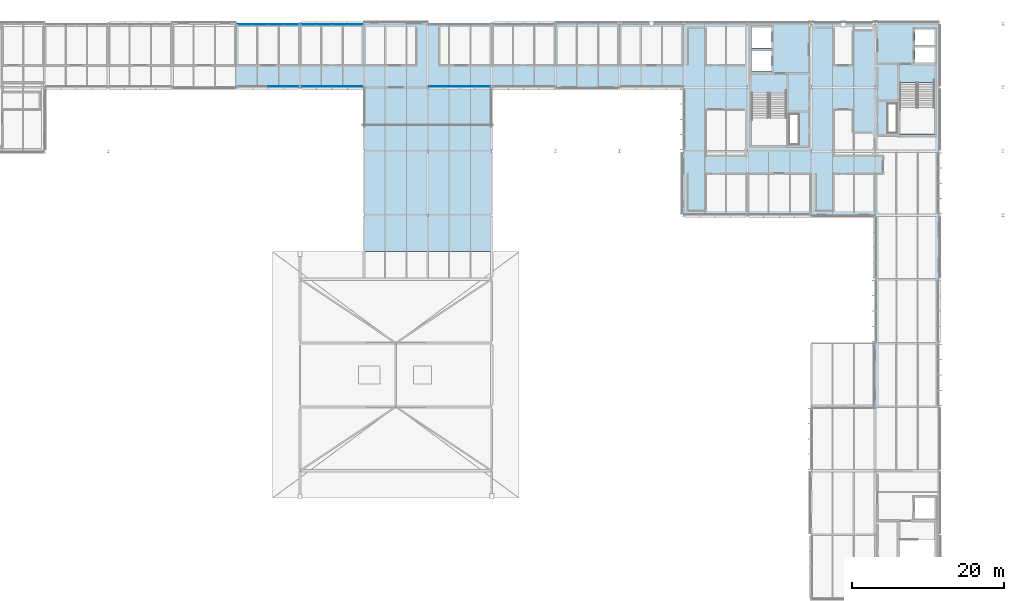
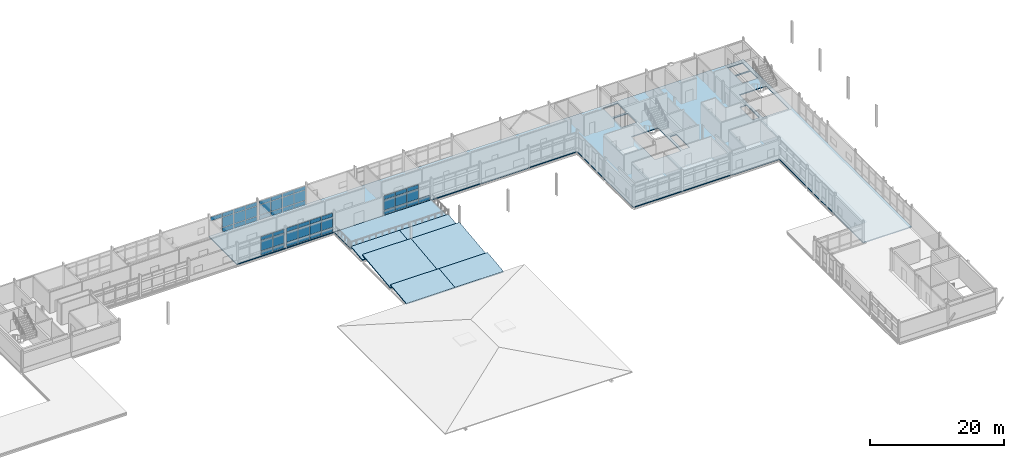
# One storey, part 46 of 66: 50 plates, 8 slabs, 5 elements without a shape of their own.
"""IFC4 building model written with IfcOpenShell, lengths in metres."""

from ifc_helpers import new_model, si_unit, direction, frame, origin, origin_2d, place, context, subcontext, project, spatial, polyline, rectangle, outline, extrude, material, layer, layer_set, type_object, element, aggregate, save


model = new_model("IFC4")

# Units and contexts
model_context = context("Model", 3, precision=1e-05, world=origin(), true_north=direction((0.0, 1.0)))
body_context = subcontext(model_context, "Body", "Model", "MODEL_VIEW")
ifc_project = project(units=[si_unit("LENGTHUNIT", "METRE"), si_unit("AREAUNIT", "SQUARE_METRE"), si_unit("VOLUMEUNIT", "CUBIC_METRE"), si_unit("PLANEANGLEUNIT", "RADIAN"), si_unit("MASSUNIT", "GRAM", prefix="KILO")], contexts=[model_context])

# Site, building, storey
site_placement = place(None, origin())
site = spatial("IfcSite", under=ifc_project, at=site_placement, CompositionType="ELEMENT")
building_placement = place(site_placement, origin())
building = spatial("IfcBuilding", under=site, at=building_placement, Name="Mersafa Astral City Hall", CompositionType="ELEMENT")
storey_placement = place(building_placement, frame((0.0, 0.0, 22.050048828125)))
storey = spatial("IfcBuildingStorey", under=building, at=storey_placement, Name="L05", CompositionType="ELEMENT", Elevation=22.050048828125)

# Curtain wall, plates
ifc_material_1 = material(Name="Anodised bronze aluminium framing", Category="aluminium")
curtain_wall_type_1 = type_object("IfcCurtainWallType", Name="ENV-CW-5", PredefinedType="USERDEFINED", material=ifc_material_1)
curtain_wall_1_placement = place(storey_placement, origin())
curtain_wall_1 = element("IfcCurtainWall", 1, at=curtain_wall_1_placement, inside=storey, type_object=curtain_wall_type_1, Name="L05 Unitised solar curtain wall 232", ObjectType="UNITISED CURTAIN WALL", PredefinedType="USERDEFINED")
ifc_material_2 = material(Name="Solar control low-e double glazing", Category="glass")
ifc_layer_1 = layer(ifc_material_2, 0.028076171875, Name="Solar control low-e double glazing")
ifc_layer_set_1 = layer_set([ifc_layer_1], Name="Solar control low-e double glazing — ENV-CW-PNL-GLZ-1")
plate_type_1 = type_object("IfcPlateType", Name="ENV-CW-PNL-GLZ-1", PredefinedType="CURTAIN_PANEL", material=ifc_layer_set_1)
plate_1_placement = place(storey_placement, frame((91.21337890625, 125.8798828125, 0.05810546875), z_axis=(0.0, 0.0, 1.0), x_axis=(-1.0, 0.0, 0.0)))
plate_1 = element("IfcPlate", 2, at=plate_1_placement, type_object=plate_type_1, Name="CW-5 panel 1.1", PredefinedType="CURTAIN_PANEL", context=body_context, shape_type="SweptSolid", body=[
    extrude(rectangle(XDim=1.928955078125, YDim=0.028076171875, at=origin_2d()), origin(), (0.0, 0.0, 1.0), 0.761962890625),
])
plate_2_placement = place(storey_placement, frame((91.21337890625, 125.8798828125, 0.8798828125), z_axis=(0.0, 0.0, 1.0), x_axis=(-1.0, 0.0, 0.0)))
plate_2 = element("IfcPlate", 3, at=plate_2_placement, type_object=plate_type_1, Name="CW-5 panel 1.2", PredefinedType="CURTAIN_PANEL", context=body_context, shape_type="SweptSolid", body=[
    extrude(rectangle(XDim=1.928955078125, YDim=0.028076171875, at=origin_2d()), origin(), (0.0, 0.0, 1.0), 1.840087890625),
])
plate_3_placement = place(storey_placement, frame((91.21337890625, 125.8798828125, 2.77978515625), z_axis=(0.0, 0.0, 1.0), x_axis=(-1.0, 0.0, 0.0)))
plate_3 = element("IfcPlate", 4, at=plate_3_placement, type_object=plate_type_1, Name="CW-5 panel 1.3", PredefinedType="CURTAIN_PANEL", context=body_context, shape_type="SweptSolid", body=[
    extrude(rectangle(XDim=1.928955078125, YDim=0.028076171875, at=origin_2d()), origin(), (0.0, 0.0, 1.0), 0.701904296875),
])
plate_4_placement = place(storey_placement, frame((89.20947265625, 125.8798828125, 0.05810546875), z_axis=(0.0, 0.0, 1.0), x_axis=(-1.0, 0.0, 0.0)))
plate_4 = element("IfcPlate", 5, at=plate_4_placement, type_object=plate_type_1, Name="CW-5 panel 2.1", PredefinedType="CURTAIN_PANEL", context=body_context, shape_type="SweptSolid", body=[
    extrude(rectangle(XDim=1.958984375, YDim=0.028076171875, at=origin_2d()), origin(), (0.0, 0.0, 1.0), 0.761962890625),
])
plate_5_placement = place(storey_placement, frame((89.20947265625, 125.8798828125, 0.8798828125), z_axis=(0.0, 0.0, 1.0), x_axis=(-1.0, 0.0, 0.0)))
plate_5 = element("IfcPlate", 6, at=plate_5_placement, type_object=plate_type_1, Name="CW-5 panel 2.2", PredefinedType="CURTAIN_PANEL", context=body_context, shape_type="SweptSolid", body=[
    extrude(rectangle(XDim=1.958984375, YDim=0.028076171875, at=origin_2d()), origin(), (0.0, 0.0, 1.0), 1.840087890625),
])
plate_6_placement = place(storey_placement, frame((89.20947265625, 125.8798828125, 2.77978515625), z_axis=(0.0, 0.0, 1.0), x_axis=(-1.0, 0.0, 0.0)))
plate_6 = element("IfcPlate", 7, at=plate_6_placement, type_object=plate_type_1, Name="CW-5 panel 2.3", PredefinedType="CURTAIN_PANEL", context=body_context, shape_type="SweptSolid", body=[
    extrude(rectangle(XDim=1.958984375, YDim=0.028076171875, at=origin_2d()), origin(), (0.0, 0.0, 1.0), 0.701904296875),
])
plate_7_placement = place(storey_placement, frame((87.1904296875, 125.8798828125, 0.05810546875), z_axis=(0.0, 0.0, 1.0), x_axis=(-1.0, 0.0, 0.0)))
plate_7 = element("IfcPlate", 8, at=plate_7_placement, type_object=plate_type_1, Name="CW-5 panel 3.1", PredefinedType="CURTAIN_PANEL", context=body_context, shape_type="SweptSolid", body=[
    extrude(rectangle(XDim=1.958984375, YDim=0.028076171875, at=origin_2d()), origin(), (0.0, 0.0, 1.0), 0.761962890625),
])
plate_8_placement = place(storey_placement, frame((87.1904296875, 125.8798828125, 0.8798828125), z_axis=(0.0, 0.0, 1.0), x_axis=(-1.0, 0.0, 0.0)))
plate_8 = element("IfcPlate", 9, at=plate_8_placement, type_object=plate_type_1, Name="CW-5 panel 3.2", PredefinedType="CURTAIN_PANEL", context=body_context, shape_type="SweptSolid", body=[
    extrude(rectangle(XDim=1.958984375, YDim=0.028076171875, at=origin_2d()), origin(), (0.0, 0.0, 1.0), 1.840087890625),
])
plate_9_placement = place(storey_placement, frame((87.1904296875, 125.8798828125, 2.77978515625), z_axis=(0.0, 0.0, 1.0), x_axis=(-1.0, 0.0, 0.0)))
plate_9 = element("IfcPlate", 10, at=plate_9_placement, type_object=plate_type_1, Name="CW-5 panel 3.3", PredefinedType="CURTAIN_PANEL", context=body_context, shape_type="SweptSolid", body=[
    extrude(rectangle(XDim=1.958984375, YDim=0.028076171875, at=origin_2d()), origin(), (0.0, 0.0, 1.0), 0.701904296875),
])
plate_10_placement = place(storey_placement, frame((85.1865234375, 125.8798828125, 2.77978515625), z_axis=(0.0, 0.0, 1.0), x_axis=(-1.0, 0.0, 0.0)))
plate_10 = element("IfcPlate", 11, at=plate_10_placement, type_object=plate_type_1, Name="CW-5 panel 4.3", PredefinedType="CURTAIN_PANEL", context=body_context, shape_type="SweptSolid", body=[
    extrude(rectangle(XDim=1.928955078125, YDim=0.028076171875, at=origin_2d()), origin(), (0.0, 0.0, 1.0), 0.701904296875),
])
aggregate(curtain_wall_1, [plate_1, plate_2, plate_3, plate_4, plate_5, plate_6, plate_7, plate_8, plate_9, plate_10])

curtain_wall_type_2 = type_object("IfcCurtainWallType", Name="ENV-CW-4", PredefinedType="USERDEFINED", material=ifc_material_1)
curtain_wall_2_placement = place(storey_placement, origin())
curtain_wall_2 = element("IfcCurtainWall", 12, at=curtain_wall_2_placement, inside=storey, type_object=curtain_wall_type_2, Name="L05 Unitised solar curtain wall 237", ObjectType="UNITISED CURTAIN WALL", PredefinedType="USERDEFINED")
ifc_layer_2 = layer(ifc_material_2, 0.031982421875, Name="Solar control low-e double glazing")
ifc_layer_set_2 = layer_set([ifc_layer_2], Name="Solar control low-e double glazing — ENV-CW-PNL-GLZ-2")
plate_type_2 = type_object("IfcPlateType", Name="ENV-CW-PNL-GLZ-2", PredefinedType="CURTAIN_PANEL", material=ifc_layer_set_2)
plate_11_placement = place(storey_placement, frame((89.20947265625, 117.719970703125, 0.05810546875), z_axis=(0.0, 0.0, 1.0), x_axis=(1.0, 0.0, 0.0)))
plate_11 = element("IfcPlate", 13, at=plate_11_placement, type_object=plate_type_2, Name="CW-4 panel 3.1", PredefinedType="CURTAIN_PANEL", context=body_context, shape_type="SweptSolid", body=[
    extrude(rectangle(XDim=1.958984375, YDim=0.031982421875, at=origin_2d()), origin(), (0.0, 0.0, 1.0), 0.761962890625),
])
plate_12_placement = place(storey_placement, frame((89.20947265625, 117.719970703125, 0.8798828125), z_axis=(0.0, 0.0, 1.0), x_axis=(1.0, 0.0, 0.0)))
plate_12 = element("IfcPlate", 14, at=plate_12_placement, type_object=plate_type_2, Name="CW-4 panel 3.2", PredefinedType="CURTAIN_PANEL", context=body_context, shape_type="SweptSolid", body=[
    extrude(rectangle(XDim=1.958984375, YDim=0.031982421875, at=origin_2d()), origin(), (0.0, 0.0, 1.0), 1.840087890625),
])
plate_13_placement = place(storey_placement, frame((89.20947265625, 117.719970703125, 2.77978515625), z_axis=(0.0, 0.0, 1.0), x_axis=(1.0, 0.0, 0.0)))
plate_13 = element("IfcPlate", 15, at=plate_13_placement, type_object=plate_type_2, Name="CW-4 panel 3.3", PredefinedType="CURTAIN_PANEL", context=body_context, shape_type="SweptSolid", body=[
    extrude(rectangle(XDim=1.958984375, YDim=0.031982421875, at=origin_2d()), origin(), (0.0, 0.0, 1.0), 0.672119140625),
])
plate_14_placement = place(storey_placement, frame((91.21337890625, 117.719970703125, 0.05810546875), z_axis=(0.0, 0.0, 1.0), x_axis=(1.0, 0.0, 0.0)))
plate_14 = element("IfcPlate", 16, at=plate_14_placement, type_object=plate_type_2, Name="CW-4 panel 4.1", PredefinedType="CURTAIN_PANEL", context=body_context, shape_type="SweptSolid", body=[
    extrude(rectangle(XDim=1.928955078125, YDim=0.031982421875, at=origin_2d()), origin(), (0.0, 0.0, 1.0), 0.761962890625),
])
plate_15_placement = place(storey_placement, frame((91.21337890625, 117.719970703125, 0.8798828125), z_axis=(0.0, 0.0, 1.0), x_axis=(1.0, 0.0, 0.0)))
plate_15 = element("IfcPlate", 17, at=plate_15_placement, type_object=plate_type_2, Name="CW-4 panel 4.2", PredefinedType="CURTAIN_PANEL", context=body_context, shape_type="SweptSolid", body=[
    extrude(rectangle(XDim=1.928955078125, YDim=0.031982421875, at=origin_2d()), origin(), (0.0, 0.0, 1.0), 1.840087890625),
])
plate_16_placement = place(storey_placement, frame((91.21337890625, 117.719970703125, 2.77978515625), z_axis=(0.0, 0.0, 1.0), x_axis=(1.0, 0.0, 0.0)))
plate_16 = element("IfcPlate", 18, at=plate_16_placement, type_object=plate_type_2, Name="CW-4 panel 4.3", PredefinedType="CURTAIN_PANEL", context=body_context, shape_type="SweptSolid", body=[
    extrude(rectangle(XDim=1.928955078125, YDim=0.031982421875, at=origin_2d()), origin(), (0.0, 0.0, 1.0), 0.672119140625),
])
aggregate(curtain_wall_2, [plate_11, plate_12, plate_13, plate_14, plate_15, plate_16])

curtain_wall_3_placement = place(storey_placement, origin())
curtain_wall_3 = element("IfcCurtainWall", 19, at=curtain_wall_3_placement, inside=storey, type_object=curtain_wall_type_1, Name="L05 Unitised solar curtain wall 238", ObjectType="UNITISED CURTAIN WALL", PredefinedType="USERDEFINED")
ifc_layer_3 = layer(ifc_material_2, 0.035888671875, Name="Solar control low-e double glazing")
ifc_layer_set_3 = layer_set([ifc_layer_3], Name="Solar control low-e double glazing — ENV-CW-PNL-GLZ-3")
plate_type_3 = type_object("IfcPlateType", Name="ENV-CW-PNL-GLZ-3", PredefinedType="CURTAIN_PANEL", material=ifc_layer_set_3)
plate_17_placement = place(storey_placement, frame((93.58642578125, 117.719970703125, 0.05810546875), z_axis=(0.0, 0.0, 1.0), x_axis=(1.0, 0.0, 0.0)))
plate_17 = element("IfcPlate", 20, at=plate_17_placement, type_object=plate_type_3, Name="CW-5 panel 1.1", PredefinedType="CURTAIN_PANEL", context=body_context, shape_type="SweptSolid", body=[
    extrude(rectangle(XDim=1.928955078125, YDim=0.035888671875, at=origin_2d()), origin(), (0.0, 0.0, 1.0), 0.761962890625),
])
plate_18_placement = place(storey_placement, frame((93.58642578125, 117.719970703125, 0.8798828125), z_axis=(0.0, 0.0, 1.0), x_axis=(1.0, 0.0, 0.0)))
plate_18 = element("IfcPlate", 21, at=plate_18_placement, type_object=plate_type_3, Name="CW-5 panel 1.2", PredefinedType="CURTAIN_PANEL", context=body_context, shape_type="SweptSolid", body=[
    extrude(rectangle(XDim=1.928955078125, YDim=0.035888671875, at=origin_2d()), origin(), (0.0, 0.0, 1.0), 1.840087890625),
])
plate_19_placement = place(storey_placement, frame((93.58642578125, 117.719970703125, 2.77978515625), z_axis=(0.0, 0.0, 1.0), x_axis=(1.0, 0.0, 0.0)))
plate_19 = element("IfcPlate", 22, at=plate_19_placement, type_object=plate_type_3, Name="CW-5 panel 1.3", PredefinedType="CURTAIN_PANEL", context=body_context, shape_type="SweptSolid", body=[
    extrude(rectangle(XDim=1.928955078125, YDim=0.035888671875, at=origin_2d()), origin(), (0.0, 0.0, 1.0), 0.701904296875),
])
plate_20_placement = place(storey_placement, frame((95.590576171875, 117.719970703125, 0.05810546875), z_axis=(0.0, 0.0, 1.0), x_axis=(1.0, 0.0, 0.0)))
plate_20 = element("IfcPlate", 23, at=plate_20_placement, type_object=plate_type_3, Name="CW-5 panel 2.1", PredefinedType="CURTAIN_PANEL", context=body_context, shape_type="SweptSolid", body=[
    extrude(rectangle(XDim=1.958984375, YDim=0.035888671875, at=origin_2d()), origin(), (0.0, 0.0, 1.0), 0.761962890625),
])
plate_21_placement = place(storey_placement, frame((95.590576171875, 117.719970703125, 0.8798828125), z_axis=(0.0, 0.0, 1.0), x_axis=(1.0, 0.0, 0.0)))
plate_21 = element("IfcPlate", 24, at=plate_21_placement, type_object=plate_type_3, Name="CW-5 panel 2.2", PredefinedType="CURTAIN_PANEL", context=body_context, shape_type="SweptSolid", body=[
    extrude(rectangle(XDim=1.958984375, YDim=0.035888671875, at=origin_2d()), origin(), (0.0, 0.0, 1.0), 1.840087890625),
])
plate_22_placement = place(storey_placement, frame((95.590576171875, 117.719970703125, 2.77978515625), z_axis=(0.0, 0.0, 1.0), x_axis=(1.0, 0.0, 0.0)))
plate_22 = element("IfcPlate", 25, at=plate_22_placement, type_object=plate_type_3, Name="CW-5 panel 2.3", PredefinedType="CURTAIN_PANEL", context=body_context, shape_type="SweptSolid", body=[
    extrude(rectangle(XDim=1.958984375, YDim=0.035888671875, at=origin_2d()), origin(), (0.0, 0.0, 1.0), 0.701904296875),
])
plate_23_placement = place(storey_placement, frame((97.609619140625, 117.719970703125, 0.05810546875), z_axis=(0.0, 0.0, 1.0), x_axis=(1.0, 0.0, 0.0)))
plate_23 = element("IfcPlate", 26, at=plate_23_placement, type_object=plate_type_3, Name="CW-5 panel 3.1", PredefinedType="CURTAIN_PANEL", context=body_context, shape_type="SweptSolid", body=[
    extrude(rectangle(XDim=1.958984375, YDim=0.035888671875, at=origin_2d()), origin(), (0.0, 0.0, 1.0), 0.761962890625),
])
plate_24_placement = place(storey_placement, frame((97.609619140625, 117.719970703125, 0.8798828125), z_axis=(0.0, 0.0, 1.0), x_axis=(1.0, 0.0, 0.0)))
plate_24 = element("IfcPlate", 27, at=plate_24_placement, type_object=plate_type_3, Name="CW-5 panel 3.2", PredefinedType="CURTAIN_PANEL", context=body_context, shape_type="SweptSolid", body=[
    extrude(rectangle(XDim=1.958984375, YDim=0.035888671875, at=origin_2d()), origin(), (0.0, 0.0, 1.0), 1.840087890625),
])
plate_25_placement = place(storey_placement, frame((97.609619140625, 117.719970703125, 2.77978515625), z_axis=(0.0, 0.0, 1.0), x_axis=(1.0, 0.0, 0.0)))
plate_25 = element("IfcPlate", 28, at=plate_25_placement, type_object=plate_type_3, Name="CW-5 panel 3.3", PredefinedType="CURTAIN_PANEL", context=body_context, shape_type="SweptSolid", body=[
    extrude(rectangle(XDim=1.958984375, YDim=0.035888671875, at=origin_2d()), origin(), (0.0, 0.0, 1.0), 0.701904296875),
])
plate_26_placement = place(storey_placement, frame((99.613525390625, 117.719970703125, 0.05810546875), z_axis=(0.0, 0.0, 1.0), x_axis=(1.0, 0.0, 0.0)))
plate_26 = element("IfcPlate", 29, at=plate_26_placement, type_object=plate_type_3, Name="CW-5 panel 4.1", PredefinedType="CURTAIN_PANEL", context=body_context, shape_type="SweptSolid", body=[
    extrude(rectangle(XDim=1.928955078125, YDim=0.035888671875, at=origin_2d()), origin(), (0.0, 0.0, 1.0), 0.761962890625),
])
plate_27_placement = place(storey_placement, frame((99.613525390625, 117.719970703125, 0.8798828125), z_axis=(0.0, 0.0, 1.0), x_axis=(1.0, 0.0, 0.0)))
plate_27 = element("IfcPlate", 30, at=plate_27_placement, type_object=plate_type_3, Name="CW-5 panel 4.2", PredefinedType="CURTAIN_PANEL", context=body_context, shape_type="SweptSolid", body=[
    extrude(rectangle(XDim=1.928955078125, YDim=0.035888671875, at=origin_2d()), origin(), (0.0, 0.0, 1.0), 1.840087890625),
])
plate_28_placement = place(storey_placement, frame((99.613525390625, 117.719970703125, 2.77978515625), z_axis=(0.0, 0.0, 1.0), x_axis=(1.0, 0.0, 0.0)))
plate_28 = element("IfcPlate", 31, at=plate_28_placement, type_object=plate_type_3, Name="CW-5 panel 4.3", PredefinedType="CURTAIN_PANEL", context=body_context, shape_type="SweptSolid", body=[
    extrude(rectangle(XDim=1.928955078125, YDim=0.035888671875, at=origin_2d()), origin(), (0.0, 0.0, 1.0), 0.701904296875),
])
aggregate(curtain_wall_3, [plate_17, plate_18, plate_19, plate_20, plate_21, plate_22, plate_23, plate_24, plate_25, plate_26, plate_27, plate_28])

curtain_wall_4_placement = place(storey_placement, origin())
curtain_wall_4 = element("IfcCurtainWall", 32, at=curtain_wall_4_placement, inside=storey, type_object=curtain_wall_type_2, Name="L05 Unitised solar curtain wall 231", ObjectType="UNITISED CURTAIN WALL", PredefinedType="USERDEFINED")
ifc_layer_4 = layer(ifc_material_2, 0.0400390625, Name="Solar control low-e double glazing")
ifc_layer_set_4 = layer_set([ifc_layer_4], Name="Solar control low-e double glazing — ENV-CW-PNL-GLZ-4")
plate_type_4 = type_object("IfcPlateType", Name="ENV-CW-PNL-GLZ-4", PredefinedType="CURTAIN_PANEL", material=ifc_layer_set_4)
plate_29_placement = place(storey_placement, frame((99.613525390625, 125.8798828125, 0.05810546875), z_axis=(0.0, 0.0, 1.0), x_axis=(-1.0, 0.0, 0.0)))
plate_29 = element("IfcPlate", 33, at=plate_29_placement, type_object=plate_type_4, Name="CW-4 panel 1.1", PredefinedType="CURTAIN_PANEL", context=body_context, shape_type="SweptSolid", body=[
    extrude(rectangle(XDim=1.928955078125, YDim=0.0400390625, at=origin_2d()), origin(), (0.0, 0.0, 1.0), 0.761962890625),
])
plate_30_placement = place(storey_placement, frame((99.613525390625, 125.8798828125, 0.8798828125), z_axis=(0.0, 0.0, 1.0), x_axis=(-1.0, 0.0, 0.0)))
plate_30 = element("IfcPlate", 34, at=plate_30_placement, type_object=plate_type_4, Name="CW-4 panel 1.2", PredefinedType="CURTAIN_PANEL", context=body_context, shape_type="SweptSolid", body=[
    extrude(rectangle(XDim=1.928955078125, YDim=0.0400390625, at=origin_2d()), origin(), (0.0, 0.0, 1.0), 1.840087890625),
])
plate_31_placement = place(storey_placement, frame((99.613525390625, 125.8798828125, 2.77978515625), z_axis=(0.0, 0.0, 1.0), x_axis=(-1.0, 0.0, 0.0)))
plate_31 = element("IfcPlate", 35, at=plate_31_placement, type_object=plate_type_4, Name="CW-4 panel 1.3", PredefinedType="CURTAIN_PANEL", context=body_context, shape_type="SweptSolid", body=[
    extrude(rectangle(XDim=1.928955078125, YDim=0.0400390625, at=origin_2d()), origin(), (0.0, 0.0, 1.0), 0.672119140625),
])
plate_32_placement = place(storey_placement, frame((97.609619140625, 125.8798828125, 0.05810546875), z_axis=(0.0, 0.0, 1.0), x_axis=(-1.0, 0.0, 0.0)))
plate_32 = element("IfcPlate", 36, at=plate_32_placement, type_object=plate_type_4, Name="CW-4 panel 2.1", PredefinedType="CURTAIN_PANEL", context=body_context, shape_type="SweptSolid", body=[
    extrude(rectangle(XDim=1.958984375, YDim=0.0400390625, at=origin_2d()), origin(), (0.0, 0.0, 1.0), 0.761962890625),
])
plate_33_placement = place(storey_placement, frame((97.609619140625, 125.8798828125, 0.8798828125), z_axis=(0.0, 0.0, 1.0), x_axis=(-1.0, 0.0, 0.0)))
plate_33 = element("IfcPlate", 37, at=plate_33_placement, type_object=plate_type_4, Name="CW-4 panel 2.2", PredefinedType="CURTAIN_PANEL", context=body_context, shape_type="SweptSolid", body=[
    extrude(rectangle(XDim=1.958984375, YDim=0.0400390625, at=origin_2d()), origin(), (0.0, 0.0, 1.0), 1.840087890625),
])
plate_34_placement = place(storey_placement, frame((97.609619140625, 125.8798828125, 2.77978515625), z_axis=(0.0, 0.0, 1.0), x_axis=(-1.0, 0.0, 0.0)))
plate_34 = element("IfcPlate", 38, at=plate_34_placement, type_object=plate_type_4, Name="CW-4 panel 2.3", PredefinedType="CURTAIN_PANEL", context=body_context, shape_type="SweptSolid", body=[
    extrude(rectangle(XDim=1.958984375, YDim=0.0400390625, at=origin_2d()), origin(), (0.0, 0.0, 1.0), 0.672119140625),
])
plate_35_placement = place(storey_placement, frame((95.590576171875, 125.8798828125, 0.05810546875), z_axis=(0.0, 0.0, 1.0), x_axis=(-1.0, 0.0, 0.0)))
plate_35 = element("IfcPlate", 39, at=plate_35_placement, type_object=plate_type_4, Name="CW-4 panel 3.1", PredefinedType="CURTAIN_PANEL", context=body_context, shape_type="SweptSolid", body=[
    extrude(rectangle(XDim=1.958984375, YDim=0.0400390625, at=origin_2d()), origin(), (0.0, 0.0, 1.0), 0.761962890625),
])
plate_36_placement = place(storey_placement, frame((95.590576171875, 125.8798828125, 0.8798828125), z_axis=(0.0, 0.0, 1.0), x_axis=(-1.0, 0.0, 0.0)))
plate_36 = element("IfcPlate", 40, at=plate_36_placement, type_object=plate_type_4, Name="CW-4 panel 3.2", PredefinedType="CURTAIN_PANEL", context=body_context, shape_type="SweptSolid", body=[
    extrude(rectangle(XDim=1.958984375, YDim=0.0400390625, at=origin_2d()), origin(), (0.0, 0.0, 1.0), 1.840087890625),
])
plate_37_placement = place(storey_placement, frame((95.590576171875, 125.8798828125, 2.77978515625), z_axis=(0.0, 0.0, 1.0), x_axis=(-1.0, 0.0, 0.0)))
plate_37 = element("IfcPlate", 41, at=plate_37_placement, type_object=plate_type_4, Name="CW-4 panel 3.3", PredefinedType="CURTAIN_PANEL", context=body_context, shape_type="SweptSolid", body=[
    extrude(rectangle(XDim=1.958984375, YDim=0.0400390625, at=origin_2d()), origin(), (0.0, 0.0, 1.0), 0.672119140625),
])
plate_38_placement = place(storey_placement, frame((93.58642578125, 125.8798828125, 0.05810546875), z_axis=(0.0, 0.0, 1.0), x_axis=(-1.0, 0.0, 0.0)))
plate_38 = element("IfcPlate", 42, at=plate_38_placement, type_object=plate_type_4, Name="CW-4 panel 4.1", PredefinedType="CURTAIN_PANEL", context=body_context, shape_type="SweptSolid", body=[
    extrude(rectangle(XDim=1.928955078125, YDim=0.0400390625, at=origin_2d()), origin(), (0.0, 0.0, 1.0), 0.761962890625),
])
plate_39_placement = place(storey_placement, frame((93.58642578125, 125.8798828125, 0.8798828125), z_axis=(0.0, 0.0, 1.0), x_axis=(-1.0, 0.0, 0.0)))
plate_39 = element("IfcPlate", 43, at=plate_39_placement, type_object=plate_type_4, Name="CW-4 panel 4.2", PredefinedType="CURTAIN_PANEL", context=body_context, shape_type="SweptSolid", body=[
    extrude(rectangle(XDim=1.928955078125, YDim=0.0400390625, at=origin_2d()), origin(), (0.0, 0.0, 1.0), 1.840087890625),
])
plate_40_placement = place(storey_placement, frame((93.58642578125, 125.8798828125, 2.77978515625), z_axis=(0.0, 0.0, 1.0), x_axis=(-1.0, 0.0, 0.0)))
plate_40 = element("IfcPlate", 44, at=plate_40_placement, type_object=plate_type_4, Name="CW-4 panel 4.3", PredefinedType="CURTAIN_PANEL", context=body_context, shape_type="SweptSolid", body=[
    extrude(rectangle(XDim=1.928955078125, YDim=0.0400390625, at=origin_2d()), origin(), (0.0, 0.0, 1.0), 0.672119140625),
])
aggregate(curtain_wall_4, [plate_29, plate_30, plate_31, plate_32, plate_33, plate_34, plate_35, plate_36, plate_37, plate_38, plate_39, plate_40])

curtain_wall_type_3 = type_object("IfcCurtainWallType", Name="ENV-CW-6", PredefinedType="USERDEFINED", material=ifc_material_1)
curtain_wall_5_placement = place(storey_placement, origin())
curtain_wall_5 = element("IfcCurtainWall", 45, at=curtain_wall_5_placement, inside=storey, type_object=curtain_wall_type_3, Name="L05 Unitised solar curtain wall 239", ObjectType="UNITISED CURTAIN WALL", PredefinedType="USERDEFINED")
plate_41_placement = place(storey_placement, frame((110.386474609375, 117.719970703125, 0.05810546875), z_axis=(0.0, 0.0, 1.0), x_axis=(1.0, 0.0, 0.0)))
plate_41 = element("IfcPlate", 46, at=plate_41_placement, type_object=plate_type_4, Name="CW-6 panel 1.1", PredefinedType="CURTAIN_PANEL", context=body_context, shape_type="SweptSolid", body=[
    extrude(rectangle(XDim=1.928955078125, YDim=0.0400390625, at=origin_2d()), origin(), (0.0, 0.0, 1.0), 0.761962890625),
])
plate_42_placement = place(storey_placement, frame((110.386474609375, 117.719970703125, 0.8798828125), z_axis=(0.0, 0.0, 1.0), x_axis=(1.0, 0.0, 0.0)))
plate_42 = element("IfcPlate", 47, at=plate_42_placement, type_object=plate_type_4, Name="CW-6 panel 1.2", PredefinedType="CURTAIN_PANEL", context=body_context, shape_type="SweptSolid", body=[
    extrude(rectangle(XDim=1.928955078125, YDim=0.0400390625, at=origin_2d()), origin(), (0.0, 0.0, 1.0), 1.840087890625),
])
plate_43_placement = place(storey_placement, frame((110.386474609375, 117.719970703125, 2.77978515625), z_axis=(0.0, 0.0, 1.0), x_axis=(1.0, 0.0, 0.0)))
plate_43 = element("IfcPlate", 48, at=plate_43_placement, type_object=plate_type_4, Name="CW-6 panel 1.3", PredefinedType="CURTAIN_PANEL", context=body_context, shape_type="SweptSolid", body=[
    extrude(rectangle(XDim=1.928955078125, YDim=0.0400390625, at=origin_2d()), origin(), (0.0, 0.0, 1.0), 0.701904296875),
])
plate_44_placement = place(storey_placement, frame((112.390380859375, 117.719970703125, 0.05810546875), z_axis=(0.0, 0.0, 1.0), x_axis=(1.0, 0.0, 0.0)))
plate_44 = element("IfcPlate", 49, at=plate_44_placement, type_object=plate_type_4, Name="CW-6 panel 2.1", PredefinedType="CURTAIN_PANEL", context=body_context, shape_type="SweptSolid", body=[
    extrude(rectangle(XDim=1.958984375, YDim=0.0400390625, at=origin_2d()), origin(), (0.0, 0.0, 1.0), 0.761962890625),
])
plate_45_placement = place(storey_placement, frame((112.390380859375, 117.719970703125, 0.8798828125), z_axis=(0.0, 0.0, 1.0), x_axis=(1.0, 0.0, 0.0)))
plate_45 = element("IfcPlate", 50, at=plate_45_placement, type_object=plate_type_4, Name="CW-6 panel 2.2", PredefinedType="CURTAIN_PANEL", context=body_context, shape_type="SweptSolid", body=[
    extrude(rectangle(XDim=1.958984375, YDim=0.0400390625, at=origin_2d()), origin(), (0.0, 0.0, 1.0), 1.840087890625),
])
plate_46_placement = place(storey_placement, frame((112.390380859375, 117.719970703125, 2.77978515625), z_axis=(0.0, 0.0, 1.0), x_axis=(1.0, 0.0, 0.0)))
plate_46 = element("IfcPlate", 51, at=plate_46_placement, type_object=plate_type_4, Name="CW-6 panel 2.3", PredefinedType="CURTAIN_PANEL", context=body_context, shape_type="SweptSolid", body=[
    extrude(rectangle(XDim=1.958984375, YDim=0.0400390625, at=origin_2d()), origin(), (0.0, 0.0, 1.0), 0.701904296875),
])
plate_47_placement = place(storey_placement, frame((114.409423828125, 117.719970703125, 0.05810546875), z_axis=(0.0, 0.0, 1.0), x_axis=(1.0, 0.0, 0.0)))
plate_47 = element("IfcPlate", 52, at=plate_47_placement, type_object=plate_type_4, Name="CW-6 panel 3.1", PredefinedType="CURTAIN_PANEL", context=body_context, shape_type="SweptSolid", body=[
    extrude(rectangle(XDim=1.958984375, YDim=0.0400390625, at=origin_2d()), origin(), (0.0, 0.0, 1.0), 0.761962890625),
])
plate_48_placement = place(storey_placement, frame((114.409423828125, 117.719970703125, 0.8798828125), z_axis=(0.0, 0.0, 1.0), x_axis=(1.0, 0.0, 0.0)))
plate_48 = element("IfcPlate", 53, at=plate_48_placement, type_object=plate_type_4, Name="CW-6 panel 3.2", PredefinedType="CURTAIN_PANEL", context=body_context, shape_type="SweptSolid", body=[
    extrude(rectangle(XDim=1.958984375, YDim=0.0400390625, at=origin_2d()), origin(), (0.0, 0.0, 1.0), 1.840087890625),
])
plate_49_placement = place(storey_placement, frame((114.409423828125, 117.719970703125, 2.77978515625), z_axis=(0.0, 0.0, 1.0), x_axis=(1.0, 0.0, 0.0)))
plate_49 = element("IfcPlate", 54, at=plate_49_placement, type_object=plate_type_4, Name="CW-6 panel 3.3", PredefinedType="CURTAIN_PANEL", context=body_context, shape_type="SweptSolid", body=[
    extrude(rectangle(XDim=1.958984375, YDim=0.0400390625, at=origin_2d()), origin(), (0.0, 0.0, 1.0), 0.701904296875),
])
plate_50_placement = place(storey_placement, frame((116.41357421875, 117.719970703125, 0.05810546875), z_axis=(0.0, 0.0, 1.0), x_axis=(1.0, 0.0, 0.0)))
plate_50 = element("IfcPlate", 55, at=plate_50_placement, type_object=plate_type_4, Name="CW-6 panel 4.1", PredefinedType="CURTAIN_PANEL", context=body_context, shape_type="SweptSolid", body=[
    extrude(rectangle(XDim=1.928955078125, YDim=0.0400390625, at=origin_2d()), origin(), (0.0, 0.0, 1.0), 0.761962890625),
])
aggregate(curtain_wall_5, [plate_41, plate_42, plate_43, plate_44, plate_45, plate_46, plate_47, plate_48, plate_49, plate_50])

# Slabs
ifc_material_3 = material(Name="Concrete C35/45", Category="concrete")
ifc_layer_5 = layer(ifc_material_3, 0.179931640625, Name="Concrete C35/45")
ifc_layer_set_5 = layer_set([ifc_layer_5], Name="Concrete C35/45 — STR-SLAB-FLR-180")
slab_type_1 = type_object("IfcSlabType", Name="STR-SLAB-FLR-180", PredefinedType="FLOOR", material=ifc_layer_set_5)
slab_1_placement = place(storey_placement, frame((0.0, 0.0, -0.179931640625)))
element("IfcSlab", 56, at=slab_1_placement, inside=storey, type_object=slab_type_1, Name="L05 V6 structural floor slab 1", PredefinedType="FLOOR", context=body_context, shape_type="SweptSolid", body=[
    extrude(outline(polyline([(134.39990234375, 117.60009765625), (126.0, 117.60009765625), (117.60009765625, 117.60009765625), (109.199951171875, 117.60009765625), (100.800048828125, 117.60009765625), (92.39990234375, 117.60009765625), (84.0, 117.60009765625), (84.0, 126.0), (92.39990234375, 126.0), (100.800048828125, 126.0), (109.199951171875, 126.0), (117.60009765625, 126.0), (126.0, 126.0), (134.39990234375, 126.0), (142.800048828125, 126.0), (151.199951171875, 126.0), (159.60009765625, 126.0), (168.0, 126.0), (176.39990234375, 126.0), (176.39990234375, 117.60009765625), (176.39990234375, 109.199951171875), (176.39990234375, 100.800048828125), (176.39990234375, 92.39990234375), (176.39990234375, 84.0), (176.39990234375, 75.60009765625), (168.0, 75.60009765625), (168.0, 84.0), (168.0, 92.39990234375), (168.0, 100.800048828125), (159.60009765625, 100.800048828125), (151.199951171875, 100.800048828125), (142.800048828125, 100.800048828125), (142.800048828125, 109.199951171875), (142.800048828125, 117.60009765625), (134.39990234375, 117.60009765625)]), holes=[polyline([(157.929931640625, 114.050048828125), (156.75, 114.050048828125), (156.75, 110.14990234375), (157.929931640625, 110.14990234375), (157.929931640625, 114.050048828125)]), polyline([(151.780029296875, 109.949951171875), (156.340087890625, 109.949951171875), (156.340087890625, 116.89990234375), (151.780029296875, 116.89990234375), (151.780029296875, 109.949951171875)]), polyline([(154.3798828125, 122.449951171875), (151.780029296875, 122.449951171875), (151.780029296875, 119.75), (154.3798828125, 119.75), (154.3798828125, 122.449951171875)]), polyline([(154.3798828125, 125.5), (151.780029296875, 125.5), (151.780029296875, 122.800048828125), (154.3798828125, 122.800048828125), (154.3798828125, 125.5)]), polyline([(170.85009765625, 115.449951171875), (169.669921875, 115.449951171875), (169.669921875, 111.64990234375), (170.85009765625, 111.64990234375), (170.85009765625, 115.449951171875)]), polyline([(171.260009765625, 111.449951171875), (175.820068359375, 111.449951171875), (175.820068359375, 118.260009765625), (171.260009765625, 118.260009765625), (171.260009765625, 111.449951171875)]), polyline([(175.820068359375, 122.860107421875), (173.219970703125, 122.860107421875), (173.219970703125, 120.679931640625), (175.820068359375, 120.679931640625), (175.820068359375, 122.860107421875)]), polyline([(175.820068359375, 125.260009765625), (173.219970703125, 125.260009765625), (173.219970703125, 123.080078125), (175.820068359375, 123.080078125), (175.820068359375, 125.260009765625)])]), origin(), (0.0, 0.0, 1.0), 0.179931640625),
])
ifc_material_4 = material(Name="Concrete C40/50", Category="concrete")
ifc_layer_6 = layer(ifc_material_4, 0.199951171875, Name="Concrete C40/50")
ifc_layer_set_6 = layer_set([ifc_layer_6], Name="Concrete C40/50 — STR-SLAB-ROOF-200")
slab_type_2 = type_object("IfcSlabType", Name="STR-SLAB-ROOF-200", PredefinedType="ROOF", material=ifc_layer_set_6)
slab_2_placement = place(storey_placement, frame((100.800048828125, 96.008056640625, 0.0), z_axis=(0.0, -0.114236033144, 0.993453636931), x_axis=(1.0, 0.0, 0.0)))
element("IfcSlab", 57, at=slab_2_placement, inside=storey, type_object=slab_type_2, Name="L05 Scupper-sloped wing roof slab 2-1", PredefinedType="ROOF", context=body_context, shape_type="SweptSolid", body=[
    extrude(outline(polyline([(0.0, 0.0), (8.39990234375, 0.0), (8.39990234375, 4.8235690216036575), (0.0, 4.8235690216036575), (0.0, 0.0)])), origin(), (0.0, 0.0, -1.0), 0.199951171875),
])
slab_3_placement = place(storey_placement, frame((100.800048828125, 109.199951171875, 0.966064453125), z_axis=(0.0, -0.11425585713, 0.993451357194), x_axis=(0.0, -0.993451357194, -0.11425585713)))
element("IfcSlab", 58, at=slab_3_placement, inside=storey, type_object=slab_type_2, Name="L05 Scupper-sloped wing roof slab 2-2", PredefinedType="ROOF", context=body_context, shape_type="SweptSolid", body=[
    extrude(outline(polyline([(0.0, 0.0), (8.455272905833876, 0.0), (8.455272905833876, 8.39990234375), (0.0, 8.39990234375), (0.0, 0.0)])), origin(), (0.0, 0.0, -1.0), 0.199951171875),
])
slab_4_placement = place(storey_placement, frame((100.800048828125, 112.592041015625, 0.39013671875), z_axis=(0.0, -0.11426043099, 0.993450831149), x_axis=(0.0, -0.993450831149, -0.11426043099)))
element("IfcSlab", 59, at=slab_4_placement, inside=storey, type_object=slab_type_2, Name="L05 Scupper-sloped wing roof slab 2-3", PredefinedType="ROOF", context=body_context, shape_type="SweptSolid", body=[
    extrude(outline(polyline([(0.0, 0.0), (3.414451664233793, 0.0), (3.414451664233793, 8.39990234375), (0.0, 8.39990234375), (0.0, 0.0)])), origin(), (0.0, 0.0, -1.0), 0.199951171875),
])
slab_5_placement = place(storey_placement, frame((117.60009765625, 96.008056640625, 0.0), z_axis=(0.0, -0.114236033144, 0.993453636931), x_axis=(0.0, 0.993453636931, 0.114236033144)))
element("IfcSlab", 60, at=slab_5_placement, inside=storey, type_object=slab_type_2, Name="L05 Scupper-sloped wing roof slab 2-4", PredefinedType="ROOF", context=body_context, shape_type="SweptSolid", body=[
    extrude(outline(polyline([(0.0, 0.0), (4.8235690216036575, 0.0), (4.8235690216036575, 8.400146484375), (0.0, 8.400146484375), (0.0, 0.0)])), origin(), (0.0, 0.0, -1.0), 0.199951171875),
])
slab_6_placement = place(storey_placement, frame((117.60009765625, 100.800048828125, 0.0), z_axis=(0.0, -0.11425585713, 0.993451357194), x_axis=(0.0, 0.993451357194, 0.11425585713)))
element("IfcSlab", 61, at=slab_6_placement, inside=storey, type_object=slab_type_2, Name="L05 Scupper-sloped wing roof slab 2-5", PredefinedType="ROOF", context=body_context, shape_type="SweptSolid", body=[
    extrude(outline(polyline([(0.0, 0.0), (8.455272905833876, 0.0), (8.455272905833876, 8.400146484375002), (0.0, 8.400146484375002), (0.0, 0.0)])), origin(), (0.0, 0.0, -1.0), 0.199951171875),
])
slab_7_placement = place(storey_placement, frame((117.60009765625, 112.592041015625, 0.39013671875), z_axis=(0.0, -0.11426043099, 0.993450831149), x_axis=(-1.0, 0.0, 0.0)))
element("IfcSlab", 62, at=slab_7_placement, inside=storey, type_object=slab_type_2, Name="L05 Scupper-sloped wing roof slab 2-6", PredefinedType="ROOF", context=body_context, shape_type="SweptSolid", body=[
    extrude(outline(polyline([(0.0, 0.0), (8.400146484375, 0.0), (8.400146484375, 3.414451664233793), (0.0, 3.414451664233793), (0.0, 0.0)])), origin(), (0.0, 0.0, -1.0), 0.199951171875),
])
ifc_layer_7 = layer(ifc_material_3, 0.179931640625, Name="Concrete C35/45")
ifc_layer_set_7 = layer_set([ifc_layer_7], Name="Concrete C35/45 — STR-SLAB-TER-180")
slab_type_3 = type_object("IfcSlabType", Name="STR-SLAB-TER-180", PredefinedType="FLOOR", material=ifc_layer_set_7)
slab_8_placement = place(storey_placement, frame((0.0, 0.0, -0.179931640625)))
element("IfcSlab", 63, at=slab_8_placement, inside=storey, type_object=slab_type_3, Name="L05 Stepped outdoor civic terrace slab TER-L05-V6S", PredefinedType="FLOOR", context=body_context, shape_type="SweptSolid", body=[
    extrude(outline(polyline([(117.60009765625, 112.60009765625), (100.800048828125, 112.60009765625), (100.800048828125, 117.592041015625), (117.60009765625, 117.592041015625), (117.60009765625, 112.60009765625)])), origin(), (0.0, 0.0, 1.0), 0.179931640625),
])

save(model, "model.ifc")
